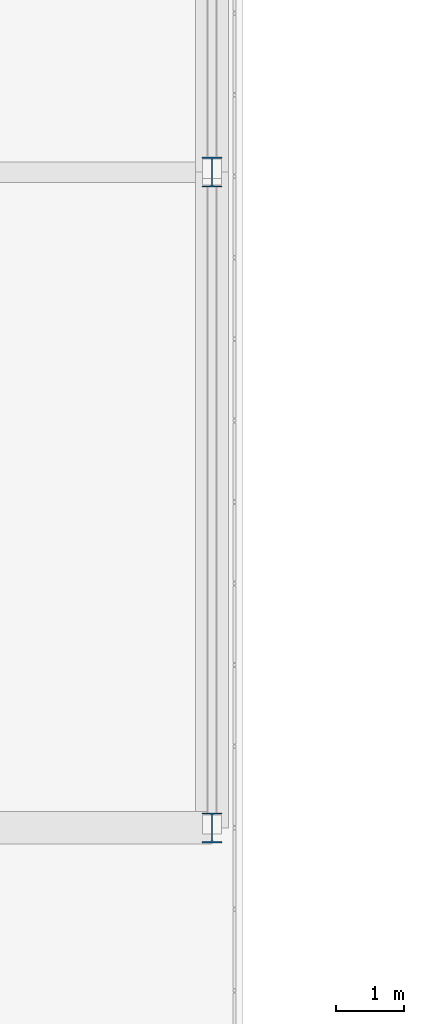
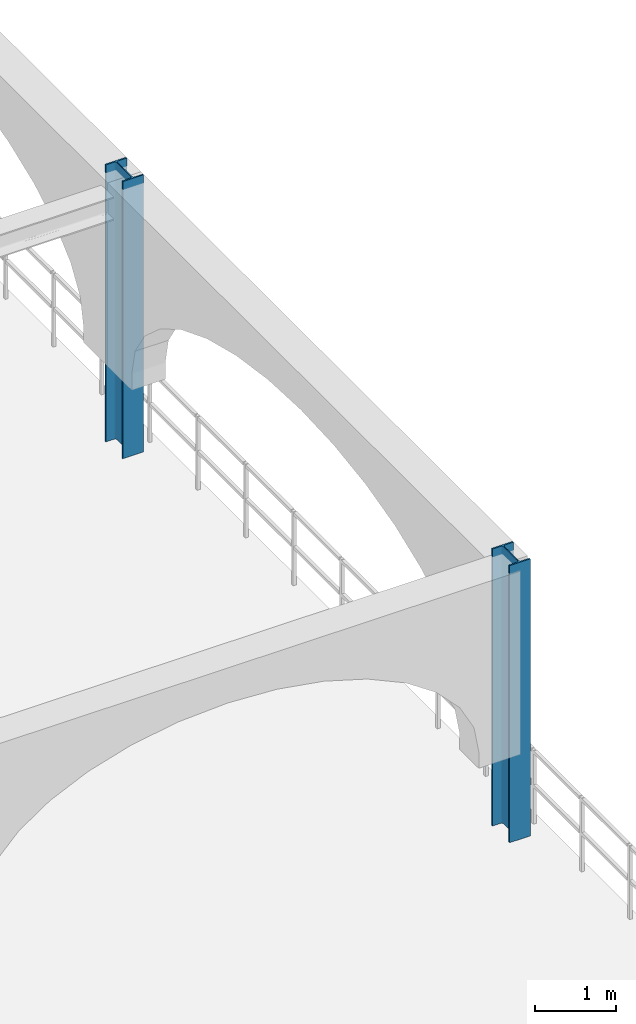
# One storey, part 10 of 81: 2 columns.
"""IFC4 building model written with IfcOpenShell, lengths in metres."""

from ifc_helpers import new_model, si_unit, direction, frame, origin, origin_2d, place, context, subcontext, project, spatial, i_section, extrude, material, material_profile, profile_set, type_object, element, save


model = new_model("IFC4")

# Units and contexts
model_context = context("Model", 3, precision=1e-05, world=origin(), true_north=direction((0.0, 1.0)))
body_context = subcontext(model_context, "Body", "Model", "MODEL_VIEW")
ifc_project = project(units=[si_unit("LENGTHUNIT", "METRE"), si_unit("AREAUNIT", "SQUARE_METRE"), si_unit("VOLUMEUNIT", "CUBIC_METRE"), si_unit("PLANEANGLEUNIT", "RADIAN"), si_unit("MASSUNIT", "GRAM", prefix="KILO")], contexts=[model_context])

# Site, building, storey
site_placement = place(None, origin())
site = spatial("IfcSite", under=ifc_project, at=site_placement, CompositionType="ELEMENT")
building_placement = place(site_placement, origin())
building = spatial("IfcBuilding", under=site, at=building_placement, Name="Myrtia Square Station", CompositionType="ELEMENT")
storey_placement = place(building_placement, frame((0.0, 0.0, 10.800048828125)))
storey = spatial("IfcBuildingStorey", under=building, at=storey_placement, Name="L02", CompositionType="ELEMENT", Elevation=10.800048828125)

# Columns
ifc_material = material(Name="Steel S355", Category="steel")
ifc_material_profile = material_profile(ifc_material, i_section(OverallWidth=0.300048828125, OverallDepth=0.43994140625, WebThickness=0.011474609375, FlangeThickness=0.02099609375, FilletRadius=0.027099609375, at=origin_2d()), Name="HEA 450")
ifc_profile_set = profile_set([ifc_material_profile], Name="Steel S355")
column_type = type_object("IfcColumnType", Name="COL-HEA450", PredefinedType="COLUMN", material=ifc_profile_set)
for number, where, z_axis, x_axis, name in (
    (1, (179.39990234375, 19.199951171875, 0.0), (0.0, 0.0, 1.0), (1.0, 0.0, 0.0), "Column L02-0726"),
    (2, (179.39990234375, 28.800048828125, 0.0), (0.0, 0.0, 1.0), (1.0, 0.0, 0.0), "Column L02-0730"),
):
    element("IfcColumn", number, at=place(storey_placement, frame(where, z_axis=z_axis, x_axis=x_axis)), inside=storey, type_object=column_type, Name=name, PredefinedType="COLUMN", context=body_context, shape_type="SweptSolid", body=[
        extrude(i_section(OverallWidth=0.300048828125, OverallDepth=0.43994140625, WebThickness=0.011474609375, FlangeThickness=0.02099609375, FilletRadius=0.027099609375, at=origin_2d()), origin(), (0.0, 0.0, 1.0), 4.199951171875),
    ])

save(model, "model.ifc")
